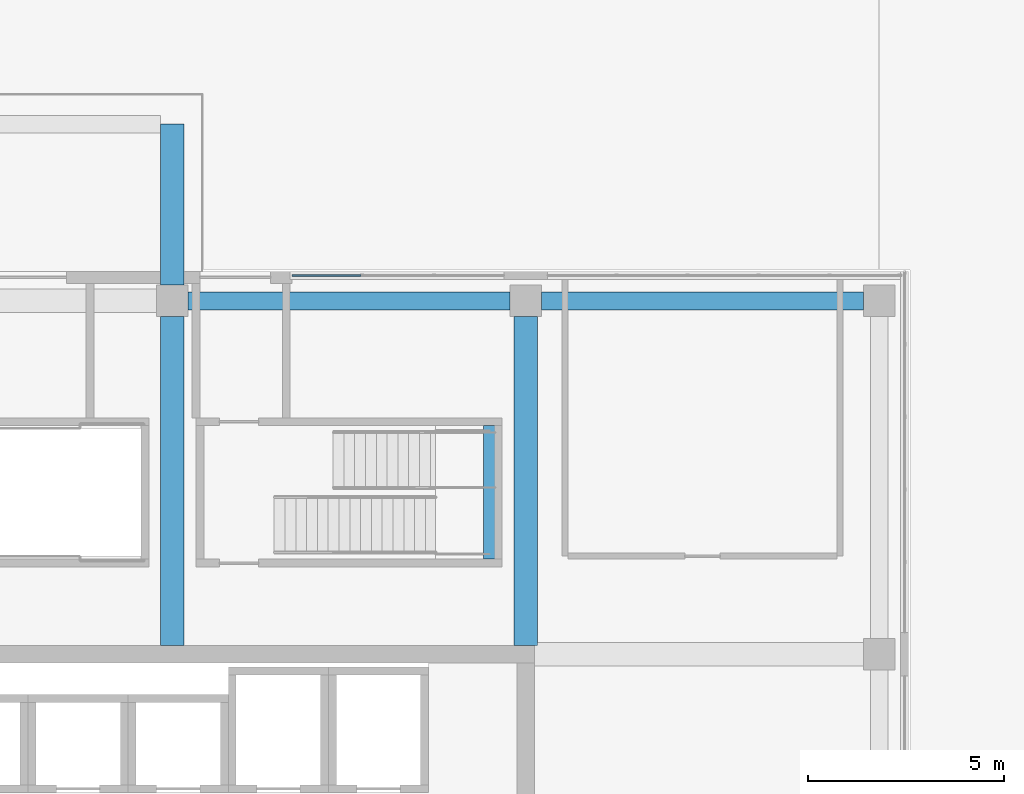
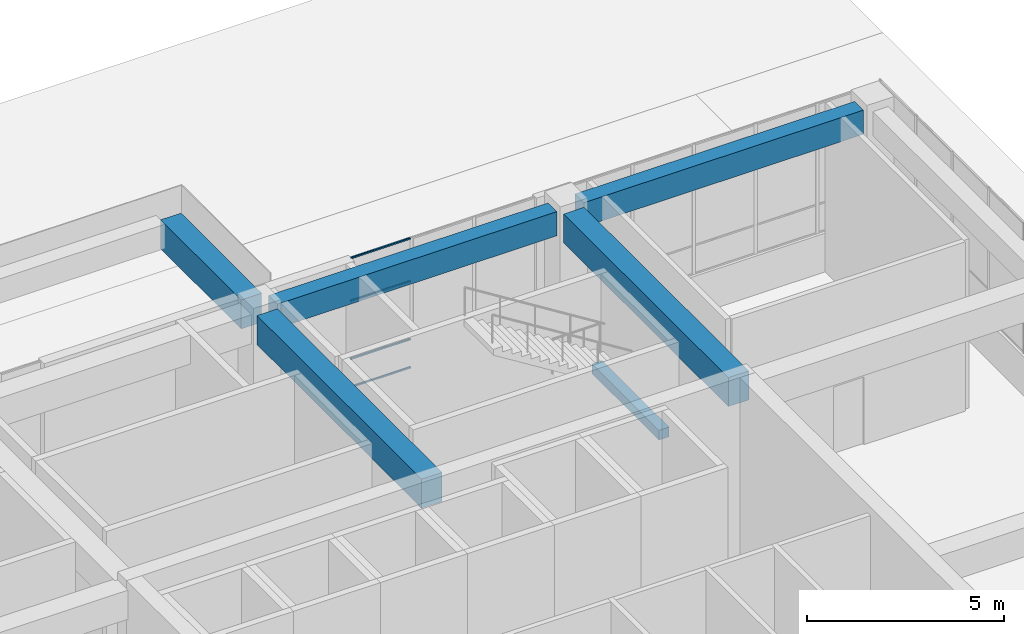
# One storey, part 39 of 72: 6 beams, 4 members, 1 element without a shape of its own.
"""IFC4 building model written with IfcOpenShell, lengths in metres."""

from ifc_helpers import new_model, si_unit, direction, frame, origin, origin_2d, place, context, subcontext, project, spatial, rectangle, hollow_rectangle, extrude, material, layer, layer_set, material_profile, profile_set, type_object, element, aggregate, save


model = new_model("IFC4")

# Units and contexts
model_context = context("Model", 3, precision=1e-05, world=origin(), true_north=direction((0.0, 1.0)))
body_context = subcontext(model_context, "Body", "Model", "MODEL_VIEW")
ifc_project = project(units=[si_unit("LENGTHUNIT", "METRE"), si_unit("AREAUNIT", "SQUARE_METRE"), si_unit("VOLUMEUNIT", "CUBIC_METRE"), si_unit("PLANEANGLEUNIT", "RADIAN"), si_unit("MASSUNIT", "GRAM", prefix="KILO")], contexts=[model_context])

# Site, building, storey
site_placement = place(None, origin())
site = spatial("IfcSite", under=ifc_project, at=site_placement, CompositionType="ELEMENT")
building_placement = place(site_placement, origin())
building = spatial("IfcBuilding", under=site, at=building_placement, Name="Tuart Plaza Theatre", CompositionType="ELEMENT")
storey_placement = place(building_placement, origin())
storey = spatial("IfcBuildingStorey", under=building, at=storey_placement, Name="L00", CompositionType="ELEMENT", Elevation=0.0)

# Beams
ifc_material_1 = material(Name="Concrete N40 (40 MPa)", Category="concrete")
ifc_material_profile_1 = material_profile(ifc_material_1, rectangle(XDim=0.300048828125, YDim=0.300048828125, at=origin_2d()), Name="BEAM 300x300 Concrete N40 (40 MPa)")
ifc_profile_set_1 = profile_set([ifc_material_profile_1], Name="Concrete N40 (40 MPa)")
beam_type_1 = type_object("IfcBeamType", Name="BEAM 300x300 Concrete N40 (40 MPa)", PredefinedType="BEAM", material=ifc_profile_set_1)
beam_1_placement = place(storey_placement, frame((140.080078125, 85.425048828125, 2.39990234375), z_axis=(0.0, 1.0, 0.0), x_axis=(-1.0, 0.0, 0.0)))
element("IfcBeam", 1, at=beam_1_placement, inside=storey, type_object=beam_type_1, Name="RB512", PredefinedType="BEAM", context=body_context, shape_type="SweptSolid", body=[
    extrude(rectangle(XDim=0.300048828125, YDim=0.300048828125, at=origin_2d()), origin(), (0.0, 0.0, 1.0), 3.39990234375),
])
ifc_material_2 = material(Name="Concrete N40 (40 MPa)", Category="concrete")
ifc_material_profile_2 = material_profile(ifc_material_2, rectangle(XDim=0.449951171875, YDim=0.75, at=origin_2d()), Name="BEAM 450x750 Concrete N40 (40 MPa)")
ifc_profile_set_2 = profile_set([ifc_material_profile_2], Name="Concrete N40 (40 MPa)")
beam_type_2 = type_object("IfcBeamType", Name="BEAM 450x750 Concrete N40 (40 MPa)", PredefinedType="BEAM", material=ifc_profile_set_2)
for number, where, z_axis, x_axis, name in (
    (2, (132.39990234375, 92.0, 4.875), (1.0, 0.0, 0.0), (0.0, 1.0, 0.0), "RB147"),
    (3, (141.39990234375, 92.0, 4.875), (1.0, 0.0, 0.0), (0.0, 1.0, 0.0), "RB153"),
):
    element("IfcBeam", number, at=place(storey_placement, frame(where, z_axis=z_axis, x_axis=x_axis)), inside=storey, type_object=beam_type_2, Name=name, PredefinedType="BEAM", context=body_context, shape_type="SweptSolid", body=[
        extrude(rectangle(XDim=0.449951171875, YDim=0.75, at=origin_2d()), origin(), (0.0, 0.0, 1.0), 8.2001953125),
    ])
ifc_material_3 = material(Name="Concrete N40 (40 MPa)", Category="concrete")
ifc_material_profile_3 = material_profile(ifc_material_3, rectangle(XDim=0.60009765625, YDim=0.89990234375, at=origin_2d()), Name="BEAM 600x900 Concrete N40 (40 MPa)")
ifc_profile_set_3 = profile_set([ifc_material_profile_3], Name="Concrete N40 (40 MPa)")
beam_type_3 = type_object("IfcBeamType", Name="BEAM 600x900 Concrete N40 (40 MPa)", PredefinedType="BEAM", material=ifc_profile_set_3)
beam_2_placement = place(storey_placement, frame((132.0, 83.22509765625, 4.800048828125), z_axis=(0.0, 1.0, 0.0), x_axis=(-1.0, 0.0, 0.0)))
element("IfcBeam", 4, at=beam_2_placement, inside=storey, type_object=beam_type_3, Name="RB145", PredefinedType="BEAM", context=body_context, shape_type="SweptSolid", body=[
    extrude(rectangle(XDim=0.60009765625, YDim=0.89990234375, at=origin_2d()), origin(), (0.0, 0.0, 1.0), 8.375),
])
beam_3_placement = place(storey_placement, frame((132.0, 92.39990234375, 4.800048828125), z_axis=(0.0, 1.0, 0.0), x_axis=(-1.0, 0.0, 0.0)))
element("IfcBeam", 5, at=beam_3_placement, inside=storey, type_object=beam_type_3, Name="RB146", PredefinedType="BEAM", context=body_context, shape_type="SweptSolid", body=[
    extrude(rectangle(XDim=0.60009765625, YDim=0.89990234375, at=origin_2d()), origin(), (0.0, 0.0, 1.0), 4.10009765625),
])
beam_4_placement = place(storey_placement, frame((141.0, 83.22509765625, 4.800048828125), z_axis=(0.0, 1.0, 0.0), x_axis=(-1.0, 0.0, 0.0)))
element("IfcBeam", 6, at=beam_4_placement, inside=storey, type_object=beam_type_3, Name="RB152", PredefinedType="BEAM", context=body_context, shape_type="SweptSolid", body=[
    extrude(rectangle(XDim=0.60009765625, YDim=0.89990234375, at=origin_2d()), origin(), (0.0, 0.0, 1.0), 8.375),
])

# Curtain wall, members
ifc_material_4 = material(Name="Aluminium and glass", Category="aluminium")
ifc_layer = layer(ifc_material_4, 0.10009765625)
ifc_layer_set = layer_set([ifc_layer], Name="CURTAIN WALL 2000 module")
curtain_wall_type = type_object("IfcCurtainWallType", Name="CURTAIN WALL 2000 module", PredefinedType="NOTDEFINED", material=ifc_layer_set)
curtain_wall_placement = place(storey_placement, origin())
curtain_wall = element("IfcCurtainWall", 7, at=curtain_wall_placement, inside=storey, type_object=curtain_wall_type, Name="CW53", PredefinedType="NOTDEFINED")
ifc_material_5 = material(Name="Aluminium 6063-T5", Category="aluminium")
ifc_material_profile_4 = material_profile(ifc_material_5, hollow_rectangle(XDim=0.050048828125, YDim=0.050048828125, WallThickness=0.00390625, InnerFilletRadius=0.00390625, OuterFilletRadius=0.008056640625, at=origin_2d()), Name="RHS 50x50x4")
ifc_profile_set_4 = profile_set([ifc_material_profile_4], Name="Aluminium 6063-T5")
member_type = type_object("IfcMemberType", Name="TRANSOM RHS 50x50x4", PredefinedType="USERDEFINED", material=ifc_profile_set_4)
member_1_placement = place(storey_placement, frame((136.808349609375, 92.64990234375, 1.22509765625), z_axis=(-1.0, 0.0, 0.0), x_axis=(0.0, -1.0, 0.0)))
member_1 = element("IfcMember", 8, at=member_1_placement, type_object=member_type, Name="CW53 transom 3.1", ObjectType="TRANSOM", PredefinedType="USERDEFINED", context=body_context, shape_type="SweptSolid", body=[
    extrude(hollow_rectangle(XDim=0.050048828125, YDim=0.050048828125, WallThickness=0.00390625, InnerFilletRadius=0.00390625, OuterFilletRadius=0.008056640625, at=origin_2d()), origin(), (0.0, 0.0, 1.0), 1.75830078125),
])
member_2_placement = place(storey_placement, frame((136.808349609375, 92.64990234375, 2.10009765625), z_axis=(-1.0, 0.0, 0.0), x_axis=(0.0, -1.0, 0.0)))
member_2 = element("IfcMember", 9, at=member_2_placement, type_object=member_type, Name="CW53 transom 3.2", ObjectType="TRANSOM", PredefinedType="USERDEFINED", context=body_context, shape_type="SweptSolid", body=[
    extrude(hollow_rectangle(XDim=0.050048828125, YDim=0.050048828125, WallThickness=0.00390625, InnerFilletRadius=0.00390625, OuterFilletRadius=0.008056640625, at=origin_2d()), origin(), (0.0, 0.0, 1.0), 1.75830078125),
])
member_3_placement = place(storey_placement, frame((136.808349609375, 92.64990234375, 3.89990234375), z_axis=(-1.0, 0.0, 0.0), x_axis=(0.0, -1.0, 0.0)))
member_3 = element("IfcMember", 10, at=member_3_placement, type_object=member_type, Name="CW53 transom 3.3", ObjectType="TRANSOM", PredefinedType="USERDEFINED", context=body_context, shape_type="SweptSolid", body=[
    extrude(hollow_rectangle(XDim=0.050048828125, YDim=0.050048828125, WallThickness=0.00390625, InnerFilletRadius=0.00390625, OuterFilletRadius=0.008056640625, at=origin_2d()), origin(), (0.0, 0.0, 1.0), 1.75830078125),
])
member_4_placement = place(storey_placement, frame((136.808349609375, 92.64990234375, 5.22509765625), z_axis=(-1.0, 0.0, 0.0), x_axis=(0.0, -1.0, 0.0)))
member_4 = element("IfcMember", 11, at=member_4_placement, type_object=member_type, Name="CW53 transom 3.4", ObjectType="TRANSOM", PredefinedType="USERDEFINED", context=body_context, shape_type="SweptSolid", body=[
    extrude(hollow_rectangle(XDim=0.050048828125, YDim=0.050048828125, WallThickness=0.00390625, InnerFilletRadius=0.00390625, OuterFilletRadius=0.008056640625, at=origin_2d()), origin(), (0.0, 0.0, 1.0), 1.75830078125),
])
aggregate(curtain_wall, [member_1, member_2, member_3, member_4])

save(model, "model.ifc")
